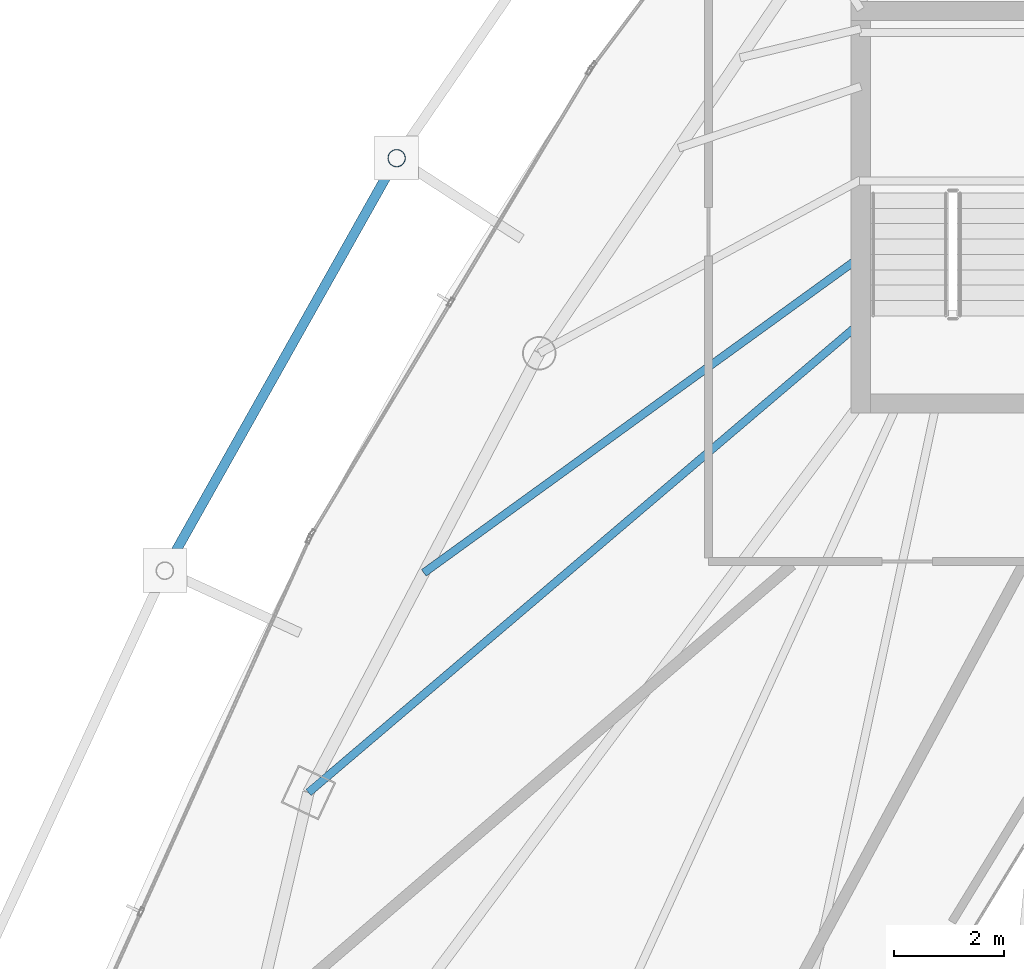
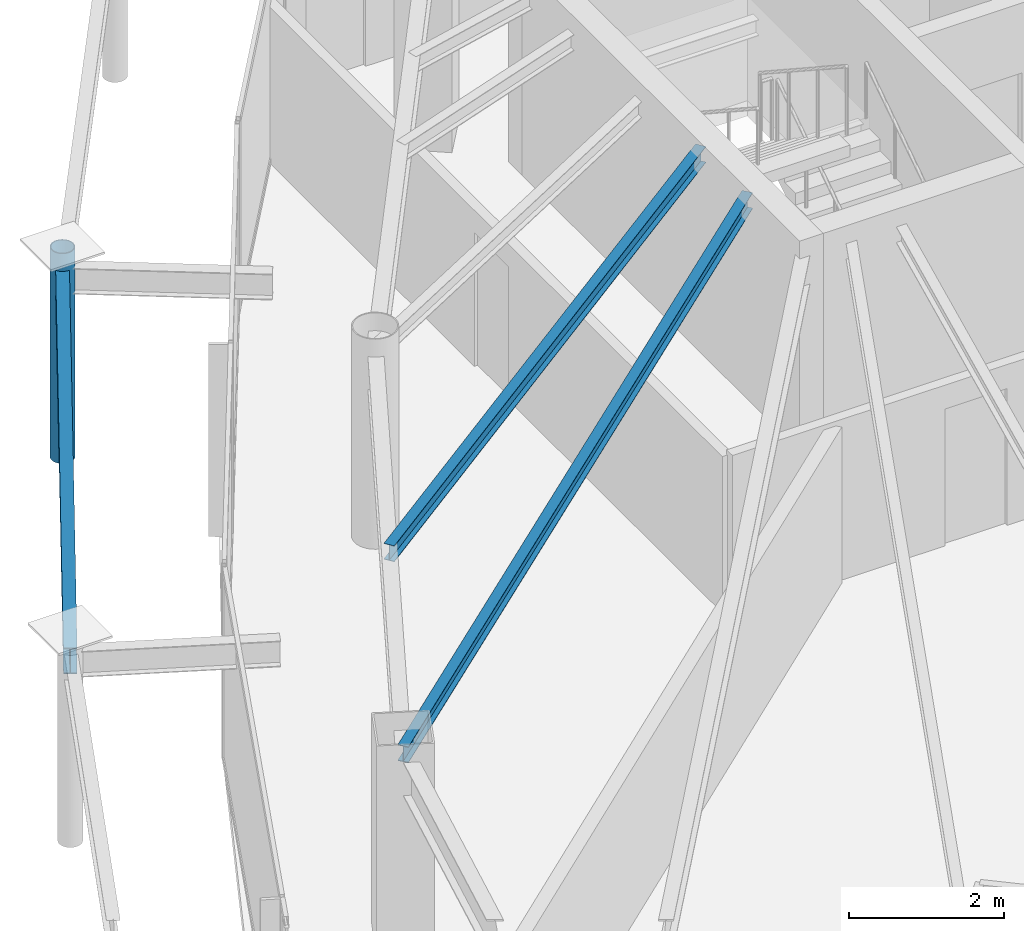
# One storey, part 11 of 30: 3 beams, 1 member.
"""IFC4 building model written with IfcOpenShell, lengths in metres."""

from ifc_helpers import new_model, si_unit, direction, frame, origin, origin_2d, place, context, subcontext, project, spatial, hollow_circle, i_section, extrude, material, material_profile, profile_set, type_object, element, save


model = new_model("IFC4")

# Units and contexts
model_context = context("Model", 3, precision=1e-05, world=origin(), true_north=direction((0.0, 1.0)))
body_context = subcontext(model_context, "Body", "Model", "MODEL_VIEW")
ifc_project = project(units=[si_unit("LENGTHUNIT", "METRE"), si_unit("AREAUNIT", "SQUARE_METRE"), si_unit("VOLUMEUNIT", "CUBIC_METRE"), si_unit("PLANEANGLEUNIT", "RADIAN"), si_unit("MASSUNIT", "GRAM", prefix="KILO")], contexts=[model_context])

# Site, building, storey
site_placement = place(None, origin())
site = spatial("IfcSite", under=ifc_project, at=site_placement, CompositionType="ELEMENT")
building_placement = place(site_placement, origin())
building = spatial("IfcBuilding", under=site, at=building_placement, Name="Orvanel Arch Residences", CompositionType="ELEMENT")
storey_placement = place(building_placement, frame((0.0, 0.0, 232.699951171875)))
storey = spatial("IfcBuildingStorey", under=building, at=storey_placement, Name="L66", CompositionType="ELEMENT", Elevation=232.699951171875)

# Beams
ifc_material_1 = material(Name="Structural steel AS/NZS 3679.1 Grade 300 (300 MPa)", Category="steel")
ifc_material_profile_1 = material_profile(ifc_material_1, i_section(OverallWidth=0.14599609375, OverallDepth=0.251953125, WebThickness=0.006103515625, FlangeThickness=0.008544921875, at=origin_2d()), Name="250UB31.4")
ifc_profile_set_1 = profile_set([ifc_material_profile_1], Name="Structural steel AS/NZS 3679.1 Grade 300 (300 MPa)")
beam_type_1 = type_object("IfcBeamType", Name="BJ-250UB", PredefinedType="JOIST", material=ifc_profile_set_1)
beam_1_placement = place(storey_placement, frame((26.425048828125, 28.199951171875, 2.89404296875), z_axis=(-0.761622669031, -0.64802076357, 0.0), x_axis=(0.64802076357, -0.761622669031, 0.0)))
element("IfcBeam", 1, at=beam_1_placement, inside=storey, type_object=beam_type_1, Name="L66 W Wing Floor Joist", PredefinedType="JOIST", context=body_context, shape_type="SweptSolid", body=[
    extrude(i_section(OverallWidth=0.14599609375, OverallDepth=0.251953125, WebThickness=0.006103515625, FlangeThickness=0.008544921875, at=origin_2d()), origin(), (0.0, 0.0, 1.0), 13.2060546875),
])
beam_2_placement = place(storey_placement, frame((26.425048828125, 29.39990234375, 2.89404296875), z_axis=(-0.810144032972, -0.586230881002, 0.0), x_axis=(0.586230881002, -0.810144032972, 0.0)))
element("IfcBeam", 2, at=beam_2_placement, inside=storey, type_object=beam_type_1, Name="L66 CTW Wing Floor Joist", PredefinedType="JOIST", context=body_context, shape_type="SweptSolid", body=[
    extrude(i_section(OverallWidth=0.14599609375, OverallDepth=0.251953125, WebThickness=0.006103515625, FlangeThickness=0.008544921875, at=origin_2d()), origin(), (0.0, 0.0, 1.0), 9.82177734375),
])
ifc_material_profile_2 = material_profile(ifc_material_1, i_section(OverallWidth=0.177978515625, OverallDepth=0.406005859375, WebThickness=0.0078125, FlangeThickness=0.0126953125, at=origin_2d()), Name="410UB59.7")
ifc_profile_set_2 = profile_set([ifc_material_profile_2], Name="Structural steel AS/NZS 3679.1 Grade 300 (300 MPa)")
beam_type_2 = type_object("IfcBeamType", Name="OB-410UB-EXT", PredefinedType="SPANDREL", material=ifc_profile_set_2)
beam_3_placement = place(storey_placement, frame((17.972900390625, 31.193115234375, 2.817138671875), z_axis=(-0.489897960455, -0.871779782022, 0.0), x_axis=(0.871779782022, -0.489897960455, 0.0)))
element("IfcBeam", 3, at=beam_3_placement, inside=storey, type_object=beam_type_2, Name="L66 Outer Perimeter Floor Ring Beam 02", PredefinedType="SPANDREL", context=body_context, shape_type="SweptSolid", body=[
    extrude(i_section(OverallWidth=0.177978515625, OverallDepth=0.406005859375, WebThickness=0.0078125, FlangeThickness=0.0126953125, at=origin_2d()), origin(), (0.0, 0.0, 1.0), 8.615966796875),
])

# Member
ifc_material_2 = material(Name="Structural steel AS/NZS 1163 C350L0 (Grade 350)", Category="steel")
ifc_material_profile_3 = material_profile(ifc_material_2, hollow_circle(Radius=0.162109375, WallThickness=0.0126953125, at=origin_2d()), Name="CHS324x12.7")
ifc_profile_set_3 = profile_set([ifc_material_profile_3], Name="Structural steel AS/NZS 1163 C350L0 (Grade 350)")
member_type = type_object("IfcMemberType", Name="ST-324CHS-EXT", PredefinedType="STRUT", material=ifc_profile_set_3)
member_placement = place(storey_placement, frame((17.972900390625, 31.193115234375, 0.0), z_axis=(0.0, 0.0, 1.0), x_axis=(1.0, 0.0, 0.0)))
element("IfcMember", 4, at=member_placement, inside=storey, type_object=member_type, Name="L66 Outer Perimeter Frame Post 02", PredefinedType="STRUT", context=body_context, shape_type="SweptSolid", body=[
    extrude(hollow_circle(Radius=0.162109375, WallThickness=0.0126953125, at=origin_2d()), origin(), (0.0, 0.0, 1.0), 3.300048828125),
])

save(model, "model.ifc")
